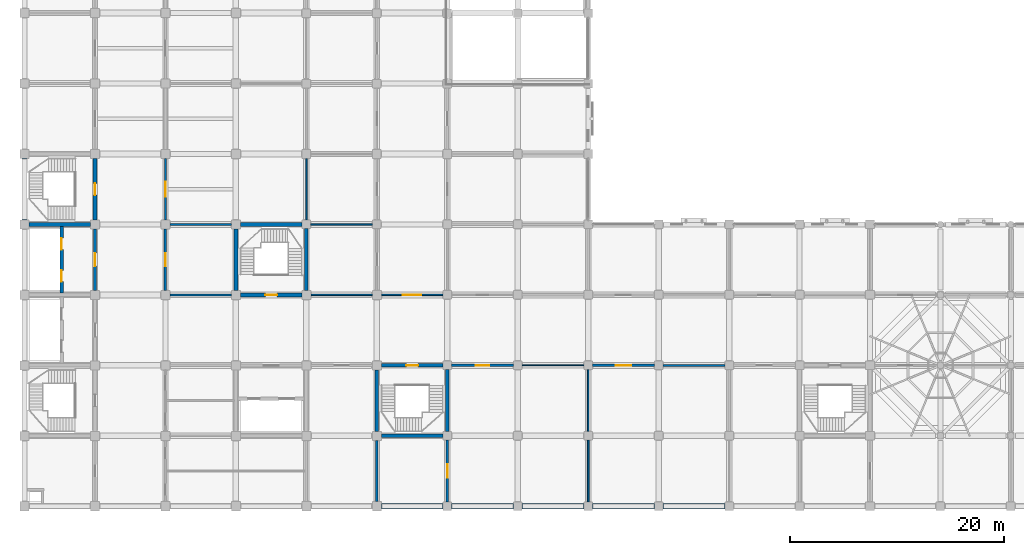
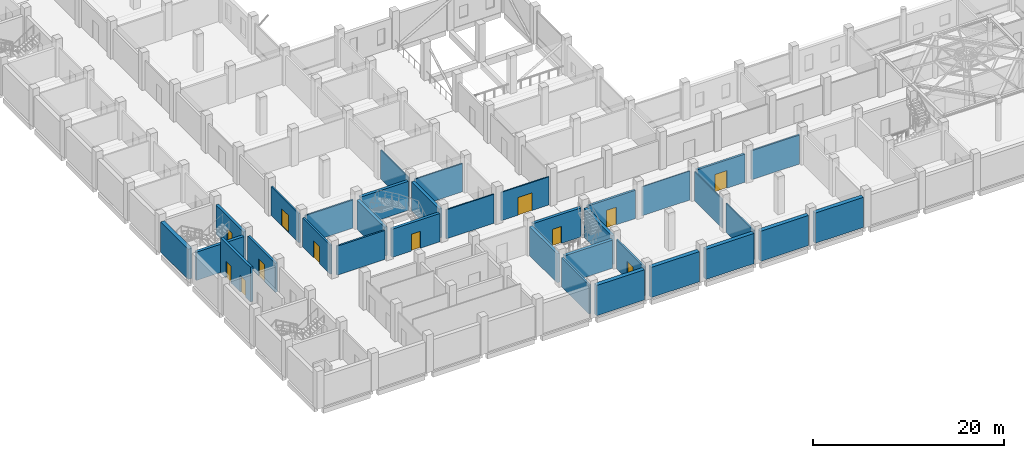
# One storey, part 18 of 34: 34 walls, 12 doors, 12 openings.
"""IFC4 building model written with IfcOpenShell, lengths in metres."""

from ifc_helpers import new_model, si_unit, direction, frame, frame_2d, origin, place, context, subcontext, project, spatial, rectangle, extrude, material, layer, layer_set, type_object, element, fill, save


model = new_model("IFC4")

# Units and contexts
model_context = context("Model", 3, precision=1e-05, world=origin(), true_north=direction((0.0, 1.0)))
body_context = subcontext(model_context, "Body", "Model", "MODEL_VIEW")
ifc_project = project(units=[si_unit("LENGTHUNIT", "METRE"), si_unit("AREAUNIT", "SQUARE_METRE"), si_unit("VOLUMEUNIT", "CUBIC_METRE"), si_unit("PLANEANGLEUNIT", "RADIAN"), si_unit("MASSUNIT", "GRAM", prefix="KILO")], contexts=[model_context])

# Site, building, storey
site_placement = place(None, origin())
site = spatial("IfcSite", under=ifc_project, at=site_placement, CompositionType="ELEMENT")
building_placement = place(site_placement, origin())
building = spatial("IfcBuilding", under=site, at=building_placement, Name="Rusizi Kubbe Research Institute", CompositionType="ELEMENT")
storey_placement = place(building_placement, frame((0.0, 0.0, 5.39990234375)))
storey = spatial("IfcBuildingStorey", under=building, at=storey_placement, Name="L01", CompositionType="ELEMENT", Elevation=5.39990234375)

# Wall
ifc_material_1 = material(Name="Concrete C45/55", Category="concrete")
ifc_layer_1 = layer(ifc_material_1, 0.35009765625)
ifc_layer_set_1 = layer_set([ifc_layer_1], Name="Concrete C45/55")
wall_type_1 = type_object("IfcWallType", Name="CRW-01", PredefinedType="SHEAR", material=ifc_layer_set_1)
wall_1_placement = place(storey_placement, frame((0.425048828125, 26.39990234375, 0.0), z_axis=(0.0, 0.0, 1.0), x_axis=(1.0, 0.0, 0.0)))
element("IfcWall", 1, at=wall_1_placement, inside=storey, type_object=wall_type_1, Name="Stair Core Shear Wall ST2 L01 S", PredefinedType="SHEAR", context=body_context, shape_type="SweptSolid", body=[
    extrude(rectangle(XDim=5.75, YDim=0.35009765625, at=frame_2d((2.875, 0.0))), origin(), (0.0, 0.0, 1.0), 3.60009765625),
])

# Wall, opening, door
wall_2_placement = place(storey_placement, frame((6.60009765625, 26.824951171875, 0.0), z_axis=(0.0, 0.0, 1.0), x_axis=(0.0, 1.0, 0.0)))
wall_2 = element("IfcWall", 2, at=wall_2_placement, inside=storey, type_object=wall_type_1, Name="Stair Core Shear Wall ST2 L01 E", PredefinedType="SHEAR", context=body_context, shape_type="SweptSolid", body=[
    extrude(rectangle(XDim=5.75, YDim=0.35009765625, at=frame_2d((2.875, 0.0))), origin(), (0.0, 0.0, 1.0), 3.7001953125),
])
opening_1_placement = place(wall_2_placement, frame((2.324951171875, 0.0, 0.0)))
opening_1 = element("IfcOpeningElement", 3, at=opening_1_placement, cuts=wall_2, Name="Opening D-01", PredefinedType="OPENING", context=body_context, shape_type="SweptSolid", body=[
    extrude(rectangle(XDim=1.10009765625, YDim=2.14990234375, at=frame_2d((0.550048828125, 1.074951171875))), frame((0.0, 0.18505859375, 0.0), z_axis=(0.0, -1.0, 0.0), x_axis=(1.0, 0.0, 0.0)), (0.0, 0.0, 1.0), 0.3701171875),
])
ifc_material_2 = material(Name="Fire-Rated Steel Frame and Acoustic Timber Leaf", Category="wood")
door_type_1 = type_object("IfcDoorType", Name="ID-STAIR-110", OperationType="NOTDEFINED", PredefinedType="DOOR", material=ifc_material_2)
door_1_placement = place(opening_1_placement, origin())
door_1 = element("IfcDoor", 4, at=door_1_placement, inside=storey, type_object=door_type_1, Name="Exit Stair Door ST2 L01", OperationType="SINGLE_SWING_LEFT", OverallHeight=2.14990234375, OverallWidth=1.10009765625, PredefinedType="DOOR", context=body_context, shape_type="SweptSolid", body=[
    extrude(rectangle(XDim=1.10009765625, YDim=2.14990234375, at=frame_2d((0.550048828125, 1.074951171875))), frame((0.0, 0.02490234375, 0.0), z_axis=(0.0, -1.0, 0.0), x_axis=(1.0, 0.0, 0.0)), (0.0, 0.0, 1.0), 0.050048828125),
])
fill(opening_1, door_1)

wall_3_placement = place(storey_placement, frame((20.22509765625, 19.800048828125, 0.0), z_axis=(0.0, 0.0, 1.0), x_axis=(1.0, 0.0, 0.0)))
wall_3 = element("IfcWall", 5, at=wall_3_placement, inside=storey, type_object=wall_type_1, Name="Stair Core Shear Wall ST3 L01 S", PredefinedType="SHEAR", context=body_context, shape_type="SweptSolid", body=[
    extrude(rectangle(XDim=5.75, YDim=0.35009765625, at=frame_2d((2.875, 0.0))), origin(), (0.0, 0.0, 1.0), 3.60009765625),
])
opening_2_placement = place(wall_3_placement, frame((2.324951171875, 0.0, 0.0)))
opening_2 = element("IfcOpeningElement", 6, at=opening_2_placement, cuts=wall_3, Name="Opening D-01", PredefinedType="OPENING", context=body_context, shape_type="SweptSolid", body=[
    extrude(rectangle(XDim=1.10009765625, YDim=2.14990234375, at=frame_2d((0.550048828125, 1.074951171875))), frame((0.0, 0.18505859375, 0.0), z_axis=(0.0, -1.0, 0.0), x_axis=(1.0, 0.0, 0.0)), (0.0, 0.0, 1.0), 0.3701171875),
])
door_2_placement = place(opening_2_placement, origin())
door_2 = element("IfcDoor", 7, at=door_2_placement, inside=storey, type_object=door_type_1, Name="Exit Stair Door ST3 L01", OperationType="SINGLE_SWING_LEFT", OverallHeight=2.14990234375, OverallWidth=1.10009765625, PredefinedType="DOOR", context=body_context, shape_type="SweptSolid", body=[
    extrude(rectangle(XDim=1.10009765625, YDim=2.14990234375, at=frame_2d((0.550048828125, 1.074951171875))), frame((0.0, 0.02490234375, 0.0), z_axis=(0.0, -1.0, 0.0), x_axis=(1.0, 0.0, 0.0)), (0.0, 0.0, 1.0), 0.050048828125),
])
fill(opening_2, door_2)

# Walls
wall_4_placement = place(storey_placement, frame((20.22509765625, 26.39990234375, 0.0), z_axis=(0.0, 0.0, 1.0), x_axis=(1.0, 0.0, 0.0)))
element("IfcWall", 8, at=wall_4_placement, inside=storey, type_object=wall_type_1, Name="Stair Core Shear Wall ST3 L01 N", PredefinedType="SHEAR", context=body_context, shape_type="SweptSolid", body=[
    extrude(rectangle(XDim=5.77490234375, YDim=0.35009765625, at=frame_2d((2.887451171875, 0.0))), origin(), (0.0, 0.0, 1.0), 3.7001953125),
])
wall_5_placement = place(storey_placement, frame((19.800048828125, 20.22509765625, 0.0), z_axis=(0.0, 0.0, 1.0), x_axis=(0.0, 1.0, 0.0)))
element("IfcWall", 9, at=wall_5_placement, inside=storey, type_object=wall_type_1, Name="Stair Core Shear Wall ST3 L01 W", PredefinedType="SHEAR", context=body_context, shape_type="SweptSolid", body=[
    extrude(rectangle(XDim=5.75, YDim=0.35009765625, at=frame_2d((2.875, 0.0))), origin(), (0.0, 0.0, 1.0), 3.7001953125),
])
wall_6_placement = place(storey_placement, frame((26.39990234375, 20.22509765625, 0.0), z_axis=(0.0, 0.0, 1.0), x_axis=(0.0, 1.0, 0.0)))
element("IfcWall", 10, at=wall_6_placement, inside=storey, type_object=wall_type_1, Name="Stair Core Shear Wall ST3 L01 E", PredefinedType="SHEAR", context=body_context, shape_type="SweptSolid", body=[
    extrude(rectangle(XDim=5.77490234375, YDim=0.35009765625, at=frame_2d((2.887451171875, 0.0))), origin(), (0.0, 0.0, 1.0), 3.7001953125),
])
wall_7_placement = place(storey_placement, frame((33.425048828125, 6.60009765625, 0.0), z_axis=(0.0, 0.0, 1.0), x_axis=(1.0, 0.0, 0.0)))
element("IfcWall", 11, at=wall_7_placement, inside=storey, type_object=wall_type_1, Name="Stair Core Shear Wall ST4 L01 S", PredefinedType="SHEAR", context=body_context, shape_type="SweptSolid", body=[
    extrude(rectangle(XDim=5.77490234375, YDim=0.35009765625, at=frame_2d((2.887451171875, 0.0))), origin(), (0.0, 0.0, 1.0), 3.60009765625),
])

# Wall, opening, door
wall_8_placement = place(storey_placement, frame((33.425048828125, 13.199951171875, 0.0), z_axis=(0.0, 0.0, 1.0), x_axis=(1.0, 0.0, 0.0)))
wall_8 = element("IfcWall", 12, at=wall_8_placement, inside=storey, type_object=wall_type_1, Name="Stair Core Shear Wall ST4 L01 N", PredefinedType="SHEAR", context=body_context, shape_type="SweptSolid", body=[
    extrude(rectangle(XDim=5.77490234375, YDim=0.35009765625, at=frame_2d((2.887451171875, 0.0))), origin(), (0.0, 0.0, 1.0), 3.7001953125),
])
opening_3_placement = place(wall_8_placement, frame((2.33740234375, 0.0, 0.0)))
opening_3 = element("IfcOpeningElement", 13, at=opening_3_placement, cuts=wall_8, Name="Opening D-01", PredefinedType="OPENING", context=body_context, shape_type="SweptSolid", body=[
    extrude(rectangle(XDim=1.10009765625, YDim=2.14990234375, at=frame_2d((0.550048828125, 1.074951171875))), frame((0.0, 0.18505859375, 0.0), z_axis=(0.0, -1.0, 0.0), x_axis=(1.0, 0.0, 0.0)), (0.0, 0.0, 1.0), 0.3701171875),
])
door_3_placement = place(opening_3_placement, origin())
door_3 = element("IfcDoor", 14, at=door_3_placement, inside=storey, type_object=door_type_1, Name="Exit Stair Door ST4 L01", OperationType="SINGLE_SWING_LEFT", OverallHeight=2.14990234375, OverallWidth=1.10009765625, PredefinedType="DOOR", context=body_context, shape_type="SweptSolid", body=[
    extrude(rectangle(XDim=1.10009765625, YDim=2.14990234375, at=frame_2d((0.550048828125, 1.074951171875))), frame((0.0, 0.02490234375, 0.0), z_axis=(0.0, -1.0, 0.0), x_axis=(1.0, 0.0, 0.0)), (0.0, 0.0, 1.0), 0.050048828125),
])
fill(opening_3, door_3)

# Walls
wall_9_placement = place(storey_placement, frame((33.0, 7.02490234375, 0.0), z_axis=(0.0, 0.0, 1.0), x_axis=(0.0, 1.0, 0.0)))
element("IfcWall", 15, at=wall_9_placement, inside=storey, type_object=wall_type_1, Name="Stair Core Shear Wall ST4 L01 W", PredefinedType="SHEAR", context=body_context, shape_type="SweptSolid", body=[
    extrude(rectangle(XDim=5.75, YDim=0.35009765625, at=frame_2d((2.875, 0.0))), origin(), (0.0, 0.0, 1.0), 3.7001953125),
])
wall_10_placement = place(storey_placement, frame((39.60009765625, 7.0, 0.0), z_axis=(0.0, 0.0, 1.0), x_axis=(0.0, 1.0, 0.0)))
element("IfcWall", 16, at=wall_10_placement, inside=storey, type_object=wall_type_1, Name="Stair Core Shear Wall ST4 L01 E", PredefinedType="SHEAR", context=body_context, shape_type="SweptSolid", body=[
    extrude(rectangle(XDim=5.800048828125, YDim=0.35009765625, at=frame_2d((2.89990234375, 0.0))), origin(), (0.0, 0.0, 1.0), 3.7001953125),
])

# Wall, openings, doors
ifc_material_3 = material(Name="Concrete C45/55", Category="concrete")
ifc_layer_2 = layer(ifc_material_3, 0.31494140625)
ifc_layer_set_2 = layer_set([ifc_layer_2], Name="Concrete C45/55")
wall_type_2 = type_object("IfcWallType", Name="CRW-02", PredefinedType="SHEAR", material=ifc_layer_set_2)
wall_11_placement = place(storey_placement, frame((3.47998046875, 20.0, 0.0), z_axis=(0.0, 0.0, 1.0), x_axis=(0.0, 1.0, 0.0)))
wall_11 = element("IfcWall", 17, at=wall_11_placement, inside=storey, type_object=wall_type_2, Name="Passenger Lift Shaft Front Wall L01", PredefinedType="SHEAR", context=body_context, shape_type="SweptSolid", body=[
    extrude(rectangle(XDim=6.199951171875, YDim=0.31494140625, at=frame_2d((3.10009765625, 0.0))), origin(), (0.0, 0.0, 1.0), 4.4501953125),
])
opening_4_placement = place(wall_11_placement, frame((1.050048828125, 0.0, 0.0)))
opening_4 = element("IfcOpeningElement", 18, at=opening_4_placement, cuts=wall_11, Name="Opening LD-03", PredefinedType="OPENING", context=body_context, shape_type="SweptSolid", body=[
    extrude(rectangle(XDim=1.050048828125, YDim=2.14990234375, at=frame_2d((0.52490234375, 1.074951171875))), frame((0.0, 0.16748046875, 0.0), z_axis=(0.0, -1.0, 0.0), x_axis=(1.0, 0.0, 0.0)), (0.0, 0.0, 1.0), 0.3349609375),
])
opening_5_placement = place(wall_11_placement, frame((4.050048828125, 0.0, 0.0)))
opening_5 = element("IfcOpeningElement", 19, at=opening_5_placement, cuts=wall_11, Name="Opening LD-04", PredefinedType="OPENING", context=body_context, shape_type="SweptSolid", body=[
    extrude(rectangle(XDim=1.06005859375, YDim=2.14990234375, at=frame_2d((0.530029296875, 1.074951171875))), frame((0.0, 0.16748046875, 0.0), z_axis=(0.0, -1.0, 0.0), x_axis=(1.0, 0.0, 0.0)), (0.0, 0.0, 1.0), 0.3349609375),
])
ifc_material_4 = material(Name="Brushed Stainless Steel Sliding Door", Category="steel")
door_type_2 = type_object("IfcDoorType", Name="LD-03", OperationType="DOUBLE_DOOR_SLIDING", PredefinedType="USERDEFINED", material=ifc_material_4)
door_4_placement = place(opening_4_placement, origin())
door_4 = element("IfcDoor", 20, at=door_4_placement, inside=storey, type_object=door_type_2, Name="Lift Landing Sliding Door LP1 L01", ObjectType="SLIDING DOOR", OperationType="DOUBLE_DOOR_SLIDING", OverallHeight=2.14990234375, OverallWidth=1.050048828125, PredefinedType="USERDEFINED", context=body_context, shape_type="SweptSolid", body=[
    extrude(rectangle(XDim=1.050048828125, YDim=2.14990234375, at=frame_2d((0.52490234375, 1.074951171875))), frame((0.0, 0.02490234375, 0.0), z_axis=(0.0, -1.0, 0.0), x_axis=(1.0, 0.0, 0.0)), (0.0, 0.0, 1.0), 0.050048828125),
])
fill(opening_4, door_4)
ifc_material_5 = material(Name="Brushed Stainless Steel Sliding Door", Category="steel")
door_type_3 = type_object("IfcDoorType", Name="LD-04", OperationType="DOUBLE_DOOR_SLIDING", PredefinedType="USERDEFINED", material=ifc_material_5)
door_5_placement = place(opening_5_placement, origin())
door_5 = element("IfcDoor", 21, at=door_5_placement, inside=storey, type_object=door_type_3, Name="Lift Landing Sliding Door LP2 L01", ObjectType="SLIDING DOOR", OperationType="DOUBLE_DOOR_SLIDING", OverallHeight=2.14990234375, OverallWidth=1.06005859375, PredefinedType="USERDEFINED", context=body_context, shape_type="SweptSolid", body=[
    extrude(rectangle(XDim=1.06005859375, YDim=2.14990234375, at=frame_2d((0.530029296875, 1.074951171875))), frame((0.0, 0.02490234375, 0.0), z_axis=(0.0, -1.0, 0.0), x_axis=(1.0, 0.0, 0.0)), (0.0, 0.0, 1.0), 0.050048828125),
])
fill(opening_5, door_5)

# Wall, opening, door
ifc_material_6 = material(Name="Concrete Blockwork Fire Partition", Category="masonry")
ifc_layer_3 = layer(ifc_material_6, 0.22509765625)
ifc_layer_set_3 = layer_set([ifc_layer_3], Name="Concrete Blockwork Fire Partition")
wall_type_3 = type_object("IfcWallType", Name="IW-01", PredefinedType="PARTITIONING", material=ifc_layer_set_3)
wall_12_placement = place(storey_placement, frame((13.199951171875, 20.22509765625, 0.0), z_axis=(0.0, 0.0, 1.0), x_axis=(0.0, 1.0, 0.0)))
wall_12 = element("IfcWall", 22, at=wall_12_placement, inside=storey, type_object=wall_type_3, Name="Interior Partition Wall L01 V2-3", PredefinedType="PARTITIONING", context=body_context, shape_type="SweptSolid", body=[
    extrude(rectangle(XDim=5.75, YDim=0.22509765625, at=frame_2d((2.875, 0.0))), origin(), (0.0, 0.0, 1.0), 3.7001953125),
])
opening_6_placement = place(wall_12_placement, frame((2.264892578125, 0.0, 0.0)))
opening_6 = element("IfcOpeningElement", 23, at=opening_6_placement, cuts=wall_12, Name="Opening D-21", PredefinedType="OPENING", context=body_context, shape_type="SweptSolid", body=[
    extrude(rectangle(XDim=1.219970703125, YDim=2.14990234375, at=frame_2d((0.60986328125, 1.074951171875))), frame((0.0, 0.12255859375, 0.0), z_axis=(0.0, -1.0, 0.0), x_axis=(1.0, 0.0, 0.0)), (0.0, 0.0, 1.0), 0.2451171875),
])
ifc_material_7 = material(Name="Fire-Rated Steel Frame and Acoustic Timber Leaf", Category="wood")
door_type_4 = type_object("IfcDoorType", Name="ID-STR-122", OperationType="NOTDEFINED", PredefinedType="DOOR", material=ifc_material_7)
door_6_placement = place(opening_6_placement, origin())
door_6 = element("IfcDoor", 24, at=door_6_placement, inside=storey, type_object=door_type_4, Name="Door to Seminar Room (L01-NW-01)", OperationType="SINGLE_SWING_RIGHT", OverallHeight=2.14990234375, OverallWidth=1.219970703125, PredefinedType="DOOR", context=body_context, shape_type="SweptSolid", body=[
    extrude(rectangle(XDim=1.219970703125, YDim=2.14990234375, at=frame_2d((0.60986328125, 1.074951171875))), frame((0.0, 0.02490234375, 0.0), z_axis=(0.0, -1.0, 0.0), x_axis=(1.0, 0.0, 0.0)), (0.0, 0.0, 1.0), 0.050048828125),
])
fill(opening_6, door_6)

# Wall
wall_13_placement = place(storey_placement, frame((33.0, 0.425048828125, 0.0), z_axis=(0.0, 0.0, 1.0), x_axis=(0.0, 1.0, 0.0)))
element("IfcWall", 25, at=wall_13_placement, inside=storey, type_object=wall_type_3, Name="Interior Partition Wall L01 V5-0", PredefinedType="PARTITIONING", context=body_context, shape_type="SweptSolid", body=[
    extrude(rectangle(XDim=5.75, YDim=0.22509765625, at=frame_2d((2.875, 0.0))), origin(), (0.0, 0.0, 1.0), 3.7001953125),
])

# Wall, opening, door
ifc_material_8 = material(Name="Insulated Cleanroom Partition", Category="masonry")
ifc_layer_4 = layer(ifc_material_8, 0.195068359375)
ifc_layer_set_4 = layer_set([ifc_layer_4], Name="Insulated Cleanroom Partition")
wall_type_4 = type_object("IfcWallType", Name="IW-02", PredefinedType="PARTITIONING", material=ifc_layer_set_4)
wall_14_placement = place(storey_placement, frame((13.199951171875, 26.824951171875, 0.0), z_axis=(0.0, 0.0, 1.0), x_axis=(0.0, 1.0, 0.0)))
wall_14 = element("IfcWall", 26, at=wall_14_placement, inside=storey, type_object=wall_type_4, Name="Interior Partition Wall L01 V2-4", PredefinedType="PARTITIONING", context=body_context, shape_type="SweptSolid", body=[
    extrude(rectangle(XDim=5.75, YDim=0.195068359375, at=frame_2d((2.875, 0.0))), origin(), (0.0, 0.0, 1.0), 3.7001953125),
])
opening_7_placement = place(wall_14_placement, frame((2.1650390625, 0.0, 0.0)))
opening_7 = element("IfcOpeningElement", 27, at=opening_7_placement, cuts=wall_14, Name="Opening D-22", PredefinedType="OPENING", context=body_context, shape_type="SweptSolid", body=[
    extrude(rectangle(XDim=1.419921875, YDim=2.199951171875, at=frame_2d((0.7099609375, 1.10009765625))), frame((0.0, 0.107421875, 0.0), z_axis=(0.0, -1.0, 0.0), x_axis=(1.0, 0.0, 0.0)), (0.0, 0.0, 1.0), 0.215087890625),
])
ifc_material_9 = material(Name="Fire-Rated Steel Frame and Acoustic Timber Leaf", Category="wood")
door_type_5 = type_object("IfcDoorType", Name="ID-STR-142", OperationType="DOUBLE_DOOR_SINGLE_SWING", PredefinedType="DOOR", material=ifc_material_9)
door_7_placement = place(opening_7_placement, origin())
door_7 = element("IfcDoor", 28, at=door_7_placement, inside=storey, type_object=door_type_5, Name="Door to Seminar Room (L01-NW-02)", OperationType="DOUBLE_DOOR_SINGLE_SWING", OverallHeight=2.199951171875, OverallWidth=1.419921875, PredefinedType="DOOR", context=body_context, shape_type="SweptSolid", body=[
    extrude(rectangle(XDim=1.419921875, YDim=2.199951171875, at=frame_2d((0.7099609375, 1.10009765625))), frame((0.0, 0.02490234375, 0.0), z_axis=(0.0, -1.0, 0.0), x_axis=(1.0, 0.0, 0.0)), (0.0, 0.0, 1.0), 0.050048828125),
])
fill(opening_7, door_7)

# Wall
wall_15_placement = place(storey_placement, frame((13.625, 19.800048828125, 0.0), z_axis=(0.0, 0.0, 1.0), x_axis=(1.0, 0.0, 0.0)))
element("IfcWall", 29, at=wall_15_placement, inside=storey, type_object=wall_type_4, Name="Interior Partition Wall L01 H2-3", PredefinedType="PARTITIONING", context=body_context, shape_type="SweptSolid", body=[
    extrude(rectangle(XDim=5.75, YDim=0.195068359375, at=frame_2d((2.875, 0.0))), origin(), (0.0, 0.0, 1.0), 3.7001953125),
])

# Wall, opening, door
wall_16_placement = place(storey_placement, frame((39.60009765625, 0.39990234375, 0.0), z_axis=(0.0, 0.0, 1.0), x_axis=(0.0, 1.0, 0.0)))
wall_16 = element("IfcWall", 30, at=wall_16_placement, inside=storey, type_object=wall_type_4, Name="Interior Partition Wall L01 V6-0", PredefinedType="PARTITIONING", context=body_context, shape_type="SweptSolid", body=[
    extrude(rectangle(XDim=5.800048828125, YDim=0.195068359375, at=frame_2d((2.89990234375, 0.0))), origin(), (0.0, 0.0, 1.0), 3.7001953125),
])
opening_8_placement = place(wall_16_placement, frame((2.27490234375, 0.0, 0.0)))
opening_8 = element("IfcOpeningElement", 31, at=opening_8_placement, cuts=wall_16, Name="Opening D-15", PredefinedType="OPENING", context=body_context, shape_type="SweptSolid", body=[
    extrude(rectangle(XDim=1.25, YDim=2.25, at=frame_2d((0.625, 1.125))), frame((0.0, 0.107421875, 0.0), z_axis=(0.0, -1.0, 0.0), x_axis=(1.0, 0.0, 0.0)), (0.0, 0.0, 1.0), 0.215087890625),
])
ifc_material_10 = material(Name="Fire-Rated Steel Frame and Acoustic Timber Leaf", Category="wood")
door_type_6 = type_object("IfcDoorType", Name="ID-LAB-125", OperationType="NOTDEFINED", PredefinedType="DOOR", material=ifc_material_10)
door_8_placement = place(opening_8_placement, origin())
door_8 = element("IfcDoor", 32, at=door_8_placement, inside=storey, type_object=door_type_6, Name="Door to Laboratory Instrument Support Room (L01-EWU-05)", OperationType="SINGLE_SWING_LEFT", OverallHeight=2.25, OverallWidth=1.25, PredefinedType="DOOR", context=body_context, shape_type="SweptSolid", body=[
    extrude(rectangle(XDim=1.25, YDim=2.25, at=frame_2d((0.625, 1.125))), frame((0.0, 0.02490234375, 0.0), z_axis=(0.0, -1.0, 0.0), x_axis=(1.0, 0.0, 0.0)), (0.0, 0.0, 1.0), 0.050048828125),
])
fill(opening_8, door_8)

# Walls
wall_17_placement = place(storey_placement, frame((59.800048828125, 13.199951171875, 0.0), z_axis=(0.0, 0.0, 1.0), x_axis=(1.0, 0.0, 0.0)))
element("IfcWall", 33, at=wall_17_placement, inside=storey, type_object=wall_type_4, Name="Interior Partition Wall L01 H9-2", PredefinedType="PARTITIONING", context=body_context, shape_type="SweptSolid", body=[
    extrude(rectangle(XDim=5.800048828125, YDim=0.195068359375, at=frame_2d((2.89990234375, 0.0))), origin(), (0.0, 0.0, 1.0), 3.7001953125),
])
ifc_material_11 = material(Name="Acoustic Laboratory Partition", Category="masonry")
ifc_layer_5 = layer(ifc_material_11, 0.175048828125)
ifc_layer_set_5 = layer_set([ifc_layer_5], Name="Acoustic Laboratory Partition")
wall_type_5 = type_object("IfcWallType", Name="IW-03", PredefinedType="PARTITIONING", material=ifc_layer_set_5)
wall_18_placement = place(storey_placement, frame((13.625, 26.39990234375, 0.0), z_axis=(0.0, 0.0, 1.0), x_axis=(1.0, 0.0, 0.0)))
element("IfcWall", 34, at=wall_18_placement, inside=storey, type_object=wall_type_5, Name="Interior Partition Wall L01 H2-4", PredefinedType="PARTITIONING", context=body_context, shape_type="SweptSolid", body=[
    extrude(rectangle(XDim=5.75, YDim=0.175048828125, at=frame_2d((2.875, 0.0))), origin(), (0.0, 0.0, 1.0), 3.60009765625),
])
ifc_material_12 = material(Name="Fire-Rated Corridor Partition", Category="masonry")
ifc_layer_6 = layer(ifc_material_12, 0.155029296875)
ifc_layer_set_6 = layer_set([ifc_layer_6], Name="Fire-Rated Corridor Partition")
wall_type_6 = type_object("IfcWallType", Name="IW-04", PredefinedType="PARTITIONING", material=ifc_layer_set_6)
wall_19_placement = place(storey_placement, frame((26.39990234375, 26.800048828125, 0.0), z_axis=(0.0, 0.0, 1.0), x_axis=(0.0, 1.0, 0.0)))
element("IfcWall", 35, at=wall_19_placement, inside=storey, type_object=wall_type_6, Name="Interior Partition Wall L01 V4-4", PredefinedType="PARTITIONING", context=body_context, shape_type="SweptSolid", body=[
    extrude(rectangle(XDim=5.800048828125, YDim=0.155029296875, at=frame_2d((2.89990234375, 0.0))), origin(), (0.0, 0.0, 1.0), 3.7001953125),
])
wall_20_placement = place(storey_placement, frame((26.824951171875, 19.800048828125, 0.0), z_axis=(0.0, 0.0, 1.0), x_axis=(1.0, 0.0, 0.0)))
element("IfcWall", 36, at=wall_20_placement, inside=storey, type_object=wall_type_6, Name="Interior Partition Wall L01 H4-3", PredefinedType="PARTITIONING", context=body_context, shape_type="SweptSolid", body=[
    extrude(rectangle(XDim=5.75, YDim=0.155029296875, at=frame_2d((2.875, 0.0))), origin(), (0.0, 0.0, 1.0), 3.7001953125),
])
wall_21_placement = place(storey_placement, frame((52.800048828125, 0.39990234375, 0.0), z_axis=(0.0, 0.0, 1.0), x_axis=(0.0, 1.0, 0.0)))
element("IfcWall", 37, at=wall_21_placement, inside=storey, type_object=wall_type_6, Name="Interior Partition Wall L01 V8-0", PredefinedType="PARTITIONING", context=body_context, shape_type="SweptSolid", body=[
    extrude(rectangle(XDim=5.800048828125, YDim=0.155029296875, at=frame_2d((2.89990234375, 0.0))), origin(), (0.0, 0.0, 1.0), 3.7001953125),
])
ifc_material_13 = material(Name="Write-up Glazed Acoustic Partition", Category="masonry")
ifc_layer_7 = layer(ifc_material_13, 0.139892578125)
ifc_layer_set_7 = layer_set([ifc_layer_7], Name="Write-up Glazed Acoustic Partition")
wall_type_7 = type_object("IfcWallType", Name="IW-05", PredefinedType="PARTITIONING", material=ifc_layer_set_7)
wall_22_placement = place(storey_placement, frame((26.800048828125, 26.39990234375, 0.0), z_axis=(0.0, 0.0, 1.0), x_axis=(1.0, 0.0, 0.0)))
element("IfcWall", 38, at=wall_22_placement, inside=storey, type_object=wall_type_7, Name="Interior Partition Wall L01 H4-4", PredefinedType="PARTITIONING", context=body_context, shape_type="SweptSolid", body=[
    extrude(rectangle(XDim=5.800048828125, YDim=0.139892578125, at=frame_2d((2.89990234375, 0.0))), origin(), (0.0, 0.0, 1.0), 3.60009765625),
])

# Wall, opening, door
wall_23_placement = place(storey_placement, frame((33.425048828125, 19.800048828125, 0.0), z_axis=(0.0, 0.0, 1.0), x_axis=(1.0, 0.0, 0.0)))
wall_23 = element("IfcWall", 39, at=wall_23_placement, inside=storey, type_object=wall_type_7, Name="Interior Partition Wall L01 H5-3", PredefinedType="PARTITIONING", context=body_context, shape_type="SweptSolid", body=[
    extrude(rectangle(XDim=5.77490234375, YDim=0.139892578125, at=frame_2d((2.887451171875, 0.0))), origin(), (0.0, 0.0, 1.0), 3.60009765625),
])
opening_9_placement = place(wall_23_placement, frame((2.02490234375, 0.0, 0.0)))
opening_9 = element("IfcOpeningElement", 40, at=opening_9_placement, cuts=wall_23, Name="Opening D-09", PredefinedType="OPENING", context=body_context, shape_type="SweptSolid", body=[
    extrude(rectangle(XDim=1.699951171875, YDim=2.25, at=frame_2d((0.85009765625, 1.125))), frame((0.0, 0.079833984375, 0.0), z_axis=(0.0, -1.0, 0.0), x_axis=(1.0, 0.0, 0.0)), (0.0, 0.0, 1.0), 0.159912109375),
])
ifc_material_14 = material(Name="Fire-Rated Steel Frame and Acoustic Timber Leaf", Category="wood")
door_type_7 = type_object("IfcDoorType", Name="ID-DBL-170", OperationType="DOUBLE_DOOR_SINGLE_SWING", PredefinedType="DOOR", material=ifc_material_14)
door_9_placement = place(opening_9_placement, origin())
door_9 = element("IfcDoor", 41, at=door_9_placement, inside=storey, type_object=door_type_7, Name="Door to Revak Cloister Gallery (L01-GAL-01)", OperationType="DOUBLE_DOOR_SINGLE_SWING", OverallHeight=2.25, OverallWidth=1.699951171875, PredefinedType="DOOR", context=body_context, shape_type="SweptSolid", body=[
    extrude(rectangle(XDim=1.699951171875, YDim=2.25, at=frame_2d((0.85009765625, 1.125))), frame((0.0, 0.02490234375, 0.0), z_axis=(0.0, -1.0, 0.0), x_axis=(1.0, 0.0, 0.0)), (0.0, 0.0, 1.0), 0.050048828125),
])
fill(opening_9, door_9)

# Walls
wall_24_placement = place(storey_placement, frame((52.800048828125, 7.0, 0.0), z_axis=(0.0, 0.0, 1.0), x_axis=(0.0, 1.0, 0.0)))
element("IfcWall", 42, at=wall_24_placement, inside=storey, type_object=wall_type_7, Name="Interior Partition Wall L01 V8-1", PredefinedType="PARTITIONING", context=body_context, shape_type="SweptSolid", body=[
    extrude(rectangle(XDim=5.800048828125, YDim=0.139892578125, at=frame_2d((2.89990234375, 0.0))), origin(), (0.0, 0.0, 1.0), 3.7001953125),
])
ifc_material_15 = material(Name="Sub-Suite Fire Partition", Category="masonry")
ifc_layer_8 = layer(ifc_material_15, 0.110107421875)
ifc_layer_set_8 = layer_set([ifc_layer_8], Name="Sub-Suite Fire Partition")
wall_type_8 = type_object("IfcWallType", Name="IW-07", PredefinedType="PARTITIONING", material=ifc_layer_set_8)
wall_25_placement = place(storey_placement, frame((46.60009765625, 13.199951171875, 0.0), z_axis=(0.0, 0.0, 1.0), x_axis=(1.0, 0.0, 0.0)))
element("IfcWall", 43, at=wall_25_placement, inside=storey, type_object=wall_type_8, Name="Interior Partition Wall L01 H7-2", PredefinedType="PARTITIONING", context=body_context, shape_type="SweptSolid", body=[
    extrude(rectangle(XDim=5.7998046875, YDim=0.110107421875, at=frame_2d((2.89990234375, 0.0))), origin(), (0.0, 0.0, 1.0), 3.7001953125),
])
ifc_material_16 = material(Name="Concrete C40/50", Category="concrete")
ifc_layer_9 = layer(ifc_material_16, 0.47998046875)
ifc_layer_set_9 = layer_set([ifc_layer_9], Name="Concrete C40/50")
wall_type_9 = type_object("IfcWallType", Name="PW-01", PredefinedType="SOLIDWALL", material=ifc_layer_set_9)
wall_26_placement = place(storey_placement, frame((0.0, 26.824951171875, 0.0), z_axis=(0.0, 0.0, 1.0), x_axis=(0.0, 1.0, 0.0)))
element("IfcWall", 44, at=wall_26_placement, inside=storey, type_object=wall_type_9, Name="Blind Party Wall L01 V0-4", PredefinedType="SOLIDWALL", context=body_context, shape_type="SweptSolid", body=[
    extrude(rectangle(XDim=5.75, YDim=0.47998046875, at=frame_2d((2.875, 0.0))), origin(), (0.0, 0.0, 1.0), 3.85009765625),
])
wall_27_placement = place(storey_placement, frame((33.425048828125, 0.0, 0.0), z_axis=(0.0, 0.0, 1.0), x_axis=(1.0, 0.0, 0.0)))
element("IfcWall", 45, at=wall_27_placement, inside=storey, type_object=wall_type_9, Name="Blind Party Wall L01 H5-0", PredefinedType="SOLIDWALL", context=body_context, shape_type="SweptSolid", body=[
    extrude(rectangle(XDim=5.77490234375, YDim=0.47998046875, at=frame_2d((2.887451171875, 0.0))), origin(), (0.0, 0.0, 1.0), 3.85009765625),
])
wall_28_placement = place(storey_placement, frame((40.0, 0.0, 0.0), z_axis=(0.0, 0.0, 1.0), x_axis=(1.0, 0.0, 0.0)))
element("IfcWall", 46, at=wall_28_placement, inside=storey, type_object=wall_type_9, Name="Blind Party Wall L01 H6-0", PredefinedType="SOLIDWALL", context=body_context, shape_type="SweptSolid", body=[
    extrude(rectangle(XDim=5.800048828125, YDim=0.47998046875, at=frame_2d((2.89990234375, 0.0))), origin(), (0.0, 0.0, 1.0), 3.85009765625),
])
wall_29_placement = place(storey_placement, frame((46.60009765625, 0.0, 0.0), z_axis=(0.0, 0.0, 1.0), x_axis=(1.0, 0.0, 0.0)))
element("IfcWall", 47, at=wall_29_placement, inside=storey, type_object=wall_type_9, Name="Blind Party Wall L01 H7-0", PredefinedType="SOLIDWALL", context=body_context, shape_type="SweptSolid", body=[
    extrude(rectangle(XDim=5.7998046875, YDim=0.47998046875, at=frame_2d((2.89990234375, 0.0))), origin(), (0.0, 0.0, 1.0), 3.85009765625),
])
for number, where, z_axis, x_axis, name in (
    (48, (53.199951171875, 0.0, 0.0), (0.0, 0.0, 1.0), (1.0, 0.0, 0.0), "Blind Party Wall L01 H8-0"),
    (49, (59.800048828125, 0.0, 0.0), (0.0, 0.0, 1.0), (1.0, 0.0, 0.0), "Blind Party Wall L01 H9-0"),
):
    element("IfcWall", number, at=place(storey_placement, frame(where, z_axis=z_axis, x_axis=x_axis)), inside=storey, type_object=wall_type_9, Name=name, PredefinedType="SOLIDWALL", context=body_context, shape_type="SweptSolid", body=[
        extrude(rectangle(XDim=5.800048828125, YDim=0.47998046875, at=frame_2d((2.89990234375, 0.0))), origin(), (0.0, 0.0, 1.0), 3.85009765625),
    ])

# Wall, opening, door
ifc_material_17 = material(Name="Concrete C40/50", Category="concrete")
ifc_layer_10 = layer(ifc_material_17, 0.27490234375)
ifc_layer_set_10 = layer_set([ifc_layer_10], Name="Concrete C40/50")
wall_type_10 = type_object("IfcWallType", Name="SHW-01", PredefinedType="SHEAR", material=ifc_layer_set_10)
wall_30_placement = place(storey_placement, frame((6.60009765625, 20.22509765625, 0.0), z_axis=(0.0, 0.0, 1.0), x_axis=(0.0, 1.0, 0.0)))
wall_30 = element("IfcWall", 50, at=wall_30_placement, inside=storey, type_object=wall_type_10, Name="Passenger Lift Lobby Wall L01", PredefinedType="SHEAR", context=body_context, shape_type="SweptSolid", body=[
    extrude(rectangle(XDim=5.75, YDim=0.27490234375, at=frame_2d((2.875, 0.0))), origin(), (0.0, 0.0, 1.0), 3.7001953125),
])
opening_10_placement = place(wall_30_placement, frame((2.264892578125, 0.0, 0.0)))
opening_10 = element("IfcOpeningElement", 51, at=opening_10_placement, cuts=wall_30, Name="Opening D-21", PredefinedType="OPENING", context=body_context, shape_type="SweptSolid", body=[
    extrude(rectangle(XDim=1.219970703125, YDim=2.14990234375, at=frame_2d((0.60986328125, 1.074951171875))), frame((0.0, 0.1474609375, 0.0), z_axis=(0.0, -1.0, 0.0), x_axis=(1.0, 0.0, 0.0)), (0.0, 0.0, 1.0), 0.294921875),
])
door_10_placement = place(opening_10_placement, origin())
door_10 = element("IfcDoor", 52, at=door_10_placement, inside=storey, type_object=door_type_4, Name="Door to Passenger Lift Lobby (L01-LBY-01)", OperationType="SINGLE_SWING_RIGHT", OverallHeight=2.14990234375, OverallWidth=1.219970703125, PredefinedType="DOOR", context=body_context, shape_type="SweptSolid", body=[
    extrude(rectangle(XDim=1.219970703125, YDim=2.14990234375, at=frame_2d((0.60986328125, 1.074951171875))), frame((0.0, 0.02490234375, 0.0), z_axis=(0.0, -1.0, 0.0), x_axis=(1.0, 0.0, 0.0)), (0.0, 0.0, 1.0), 0.050048828125),
])
fill(opening_10, door_10)

ifc_material_18 = material(Name="Concrete C40/50", Category="concrete")
ifc_layer_11 = layer(ifc_material_18, 0.2548828125)
ifc_layer_set_11 = layer_set([ifc_layer_11], Name="Concrete C40/50")
wall_type_11 = type_object("IfcWallType", Name="SHW-02", PredefinedType="SHEAR", material=ifc_layer_set_11)
wall_31_placement = place(storey_placement, frame((40.0, 13.199951171875, 0.0), z_axis=(0.0, 0.0, 1.0), x_axis=(1.0, 0.0, 0.0)))
wall_31 = element("IfcWall", 53, at=wall_31_placement, inside=storey, type_object=wall_type_11, Name="Interior Partition Wall L01 H6-2", PredefinedType="SHEAR", context=body_context, shape_type="SweptSolid", body=[
    extrude(rectangle(XDim=5.800048828125, YDim=0.2548828125, at=frame_2d((2.89990234375, 0.0))), origin(), (0.0, 0.0, 1.0), 3.60009765625),
])
opening_11_placement = place(wall_31_placement, frame((2.27490234375, 0.0, 0.0)))
opening_11 = element("IfcOpeningElement", 54, at=opening_11_placement, cuts=wall_31, Name="Opening D-15", PredefinedType="OPENING", context=body_context, shape_type="SweptSolid", body=[
    extrude(rectangle(XDim=1.25, YDim=2.25, at=frame_2d((0.625, 1.125))), frame((0.0, 0.137451171875, 0.0), z_axis=(0.0, -1.0, 0.0), x_axis=(1.0, 0.0, 0.0)), (0.0, 0.0, 1.0), 0.27490234375),
])
door_11_placement = place(opening_11_placement, origin())
door_11 = element("IfcDoor", 55, at=door_11_placement, inside=storey, type_object=door_type_6, Name="Door to Catalysis Wet Laboratory (L01-EWS-02)", OperationType="SINGLE_SWING_LEFT", OverallHeight=2.25, OverallWidth=1.25, PredefinedType="DOOR", context=body_context, shape_type="SweptSolid", body=[
    extrude(rectangle(XDim=1.25, YDim=2.25, at=frame_2d((0.625, 1.125))), frame((0.0, 0.02490234375, 0.0), z_axis=(0.0, -1.0, 0.0), x_axis=(1.0, 0.0, 0.0)), (0.0, 0.0, 1.0), 0.050048828125),
])
fill(opening_11, door_11)

wall_32_placement = place(storey_placement, frame((53.199951171875, 13.199951171875, 0.0), z_axis=(0.0, 0.0, 1.0), x_axis=(1.0, 0.0, 0.0)))
wall_32 = element("IfcWall", 56, at=wall_32_placement, inside=storey, type_object=wall_type_11, Name="Interior Partition Wall L01 H8-2", PredefinedType="SHEAR", context=body_context, shape_type="SweptSolid", body=[
    extrude(rectangle(XDim=5.800048828125, YDim=0.2548828125, at=frame_2d((2.89990234375, 0.0))), origin(), (0.0, 0.0, 1.0), 3.60009765625),
])
opening_12_placement = place(wall_32_placement, frame((2.175048828125, 0.0, 0.0)))
opening_12 = element("IfcOpeningElement", 57, at=opening_12_placement, cuts=wall_32, Name="Opening D-11", PredefinedType="OPENING", context=body_context, shape_type="SweptSolid", body=[
    extrude(rectangle(XDim=1.449951171875, YDim=2.25, at=frame_2d((0.72509765625, 1.125))), frame((0.0, 0.137451171875, 0.0), z_axis=(0.0, -1.0, 0.0), x_axis=(1.0, 0.0, 0.0)), (0.0, 0.0, 1.0), 0.27490234375),
])
ifc_material_19 = material(Name="Fire-Rated Steel Frame and Acoustic Timber Leaf", Category="wood")
door_type_8 = type_object("IfcDoorType", Name="ID-LAB-145", OperationType="NOTDEFINED", PredefinedType="DOOR", material=ifc_material_19)
door_12_placement = place(opening_12_placement, origin())
door_12 = element("IfcDoor", 58, at=door_12_placement, inside=storey, type_object=door_type_8, Name="Door to Clean Room Process Suite (L01-EWS-03)", OperationType="SINGLE_SWING_LEFT", OverallHeight=2.25, OverallWidth=1.449951171875, PredefinedType="DOOR", context=body_context, shape_type="SweptSolid", body=[
    extrude(rectangle(XDim=1.449951171875, YDim=2.25, at=frame_2d((0.72509765625, 1.125))), frame((0.0, 0.02490234375, 0.0), z_axis=(0.0, -1.0, 0.0), x_axis=(1.0, 0.0, 0.0)), (0.0, 0.0, 1.0), 0.050048828125),
])
fill(opening_12, door_12)

save(model, "model.ifc")
